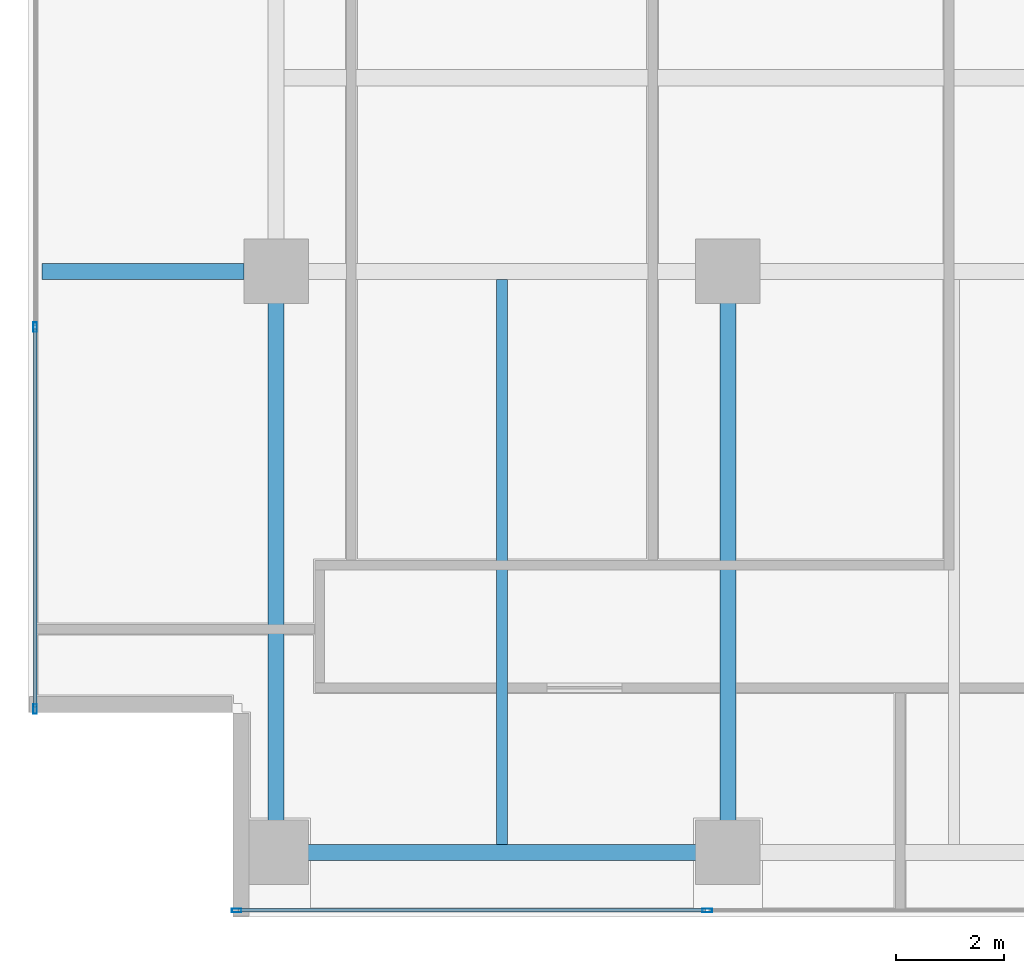
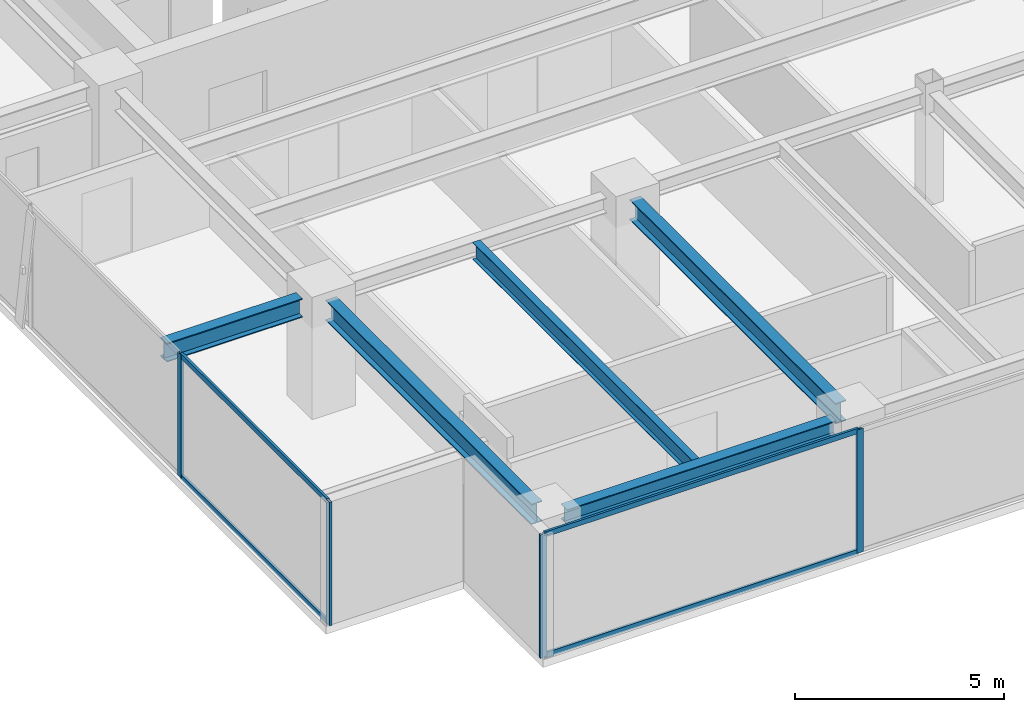
# One storey, part 2 of 21: 8 members, 5 beams, 2 elements without a shape of their own.
"""IFC4 building model written with IfcOpenShell, lengths in metres."""

from ifc_helpers import new_model, si_unit, direction, frame, origin, origin_2d, place, context, subcontext, project, spatial, hollow_rectangle, i_section, extrude, source, transform, mapped, material, layer, layer_set, material_profile, profile_set, type_object, element, aggregate, save


model = new_model("IFC4")

# Units and contexts
model_context = context("Model", 3, precision=1e-05, world=origin(), true_north=direction((0.0, 1.0)))
body_context = subcontext(model_context, "Body", "Model", "MODEL_VIEW")
ifc_project = project(units=[si_unit("LENGTHUNIT", "METRE"), si_unit("AREAUNIT", "SQUARE_METRE"), si_unit("VOLUMEUNIT", "CUBIC_METRE"), si_unit("PLANEANGLEUNIT", "RADIAN"), si_unit("MASSUNIT", "GRAM", prefix="KILO")], contexts=[model_context])

# Site, building, storey
site_placement = place(None, origin())
site = spatial("IfcSite", under=ifc_project, at=site_placement, CompositionType="ELEMENT")
building_placement = place(site_placement, origin())
building = spatial("IfcBuilding", under=site, at=building_placement, Name="Sumidabori Civic Tower", CompositionType="ELEMENT")
storey_placement = place(building_placement, frame((0.0, 0.0, 290.0)))
storey = spatial("IfcBuildingStorey", under=building, at=storey_placement, Name="L76", CompositionType="ELEMENT", Elevation=290.0)

# Beams
ifc_material_1 = material(Name="Steel SN490", Category="steel")
ifc_material_profile_1 = material_profile(ifc_material_1, i_section(OverallWidth=0.300048828125, OverallDepth=0.60009765625, WebThickness=0.015380859375, FlangeThickness=0.030029296875, at=origin_2d()), Name="HE 600 B")
ifc_profile_set_1 = profile_set([ifc_material_profile_1], Name="Steel SN490")
beam_type_1 = type_object("IfcBeamType", Name="BM-GIRD-600", PredefinedType="BEAM", material=ifc_profile_set_1)
shared_shape_1 = source(origin(), body_context, "Body", "SweptSolid", [
    extrude(i_section(OverallWidth=0.300048828125, OverallDepth=0.60009765625, WebThickness=0.015380859375, FlangeThickness=0.030029296875, at=origin_2d()), origin(), (0.0, 0.0, 1.0), 9.840087890625),
])
for number, where, z_axis, x_axis, name in (
    (1, (-16.800048828125, -10.320068359375, 3.0), (0.0, 1.0, 0.0), (-1.0, 0.0, 0.0), "Primary Girder L76 GY-09"),
    (2, (-8.39990234375, -10.320068359375, 3.0), (0.0, 1.0, 0.0), (-1.0, 0.0, 0.0), "Primary Girder L76 GY-12"),
):
    element("IfcBeam", number, at=place(storey_placement, frame(where, z_axis=z_axis, x_axis=x_axis)), inside=storey, type_object=beam_type_1, Name=name, PredefinedType="BEAM", context=body_context, shape_type="MappedRepresentation", body=[
        mapped(shared_shape_1, transform((0.0, 0.0, 0.0), x_axis=(1.0, 0.0, 0.0), y_axis=(0.0, 1.0, 0.0), z_axis=(0.0, 0.0, 1.0), scale=1.0)),
    ])
ifc_material_profile_2 = material_profile(ifc_material_1, i_section(OverallWidth=0.300048828125, OverallDepth=0.449951171875, WebThickness=0.013916015625, FlangeThickness=0.02587890625, at=origin_2d()), Name="HE 450 B")
ifc_profile_set_2 = profile_set([ifc_material_profile_2], Name="Steel SN490")
beam_type_2 = type_object("IfcBeamType", Name="BM-GIRD-450", PredefinedType="BEAM", material=ifc_profile_set_2)
shared_shape_2 = source(origin(), body_context, "Body", "SweptSolid", [
    extrude(i_section(OverallWidth=0.300048828125, OverallDepth=0.449951171875, WebThickness=0.013916015625, FlangeThickness=0.02587890625, at=origin_2d()), origin(), (0.0, 0.0, 1.0), 7.440185546875),
])
beam_1_placement = place(storey_placement, frame((-16.320068359375, -10.800048828125, 3.074951171875), z_axis=(1.0, 0.0, 0.0), x_axis=(0.0, 1.0, 0.0)))
element("IfcBeam", 3, at=beam_1_placement, inside=storey, type_object=beam_type_2, Name="Primary Girder L76 GX-01", PredefinedType="BEAM", context=body_context, shape_type="MappedRepresentation", body=[
    mapped(shared_shape_2, transform((0.0, 0.0, 0.0), x_axis=(1.0, 0.0, 0.0), y_axis=(0.0, 1.0, 0.0), z_axis=(0.0, 0.0, 1.0), scale=1.0)),
])
ifc_material_profile_3 = material_profile(ifc_material_1, i_section(OverallWidth=0.199951171875, OverallDepth=0.5, WebThickness=0.01025390625, FlangeThickness=0.01611328125, at=origin_2d()), Name="IPE 500")
ifc_profile_set_3 = profile_set([ifc_material_profile_3], Name="Steel SN490")
beam_type_3 = type_object("IfcBeamType", Name="BM-JST-500", PredefinedType="JOIST", material=ifc_profile_set_3)
shared_shape_3 = source(origin(), body_context, "Body", "SweptSolid", [
    extrude(i_section(OverallWidth=0.199951171875, OverallDepth=0.5, WebThickness=0.01025390625, FlangeThickness=0.01611328125, at=origin_2d()), origin(), (0.0, 0.0, 1.0), 10.5),
])
beam_2_placement = place(storey_placement, frame((-12.60009765625, -10.64990234375, 3.050048828125), z_axis=(0.0, 1.0, 0.0), x_axis=(-1.0, 0.0, 0.0)))
element("IfcBeam", 4, at=beam_2_placement, inside=storey, type_object=beam_type_3, Name="Upper Lens N-S Floor Joist L76 JSTV-24", PredefinedType="JOIST", context=body_context, shape_type="MappedRepresentation", body=[
    mapped(shared_shape_3, transform((0.0, 0.0, 0.0), x_axis=(1.0, 0.0, 0.0), y_axis=(0.0, 1.0, 0.0), z_axis=(0.0, 0.0, 1.0), scale=1.0)),
])
ifc_material_profile_4 = material_profile(ifc_material_1, i_section(OverallWidth=0.300048828125, OverallDepth=0.550048828125, WebThickness=0.014892578125, FlangeThickness=0.029052734375, at=origin_2d()), Name="HE 550 B")
ifc_profile_set_4 = profile_set([ifc_material_profile_4], Name="Steel SN490")
beam_type_4 = type_object("IfcBeamType", Name="BM-Z4-EDGE", PredefinedType="SPANDREL", material=ifc_profile_set_4)
shared_shape_4 = source(origin(), body_context, "Body", "SweptSolid", [
    extrude(i_section(OverallWidth=0.300048828125, OverallDepth=0.550048828125, WebThickness=0.014892578125, FlangeThickness=0.029052734375, at=origin_2d()), origin(), (0.0, 0.0, 1.0), 3.75),
])
beam_3_placement = place(storey_placement, frame((-21.14990234375, 0.0, 3.02490234375), z_axis=(1.0, 0.0, 0.0), x_axis=(0.0, 1.0, 0.0)))
element("IfcBeam", 5, at=beam_3_placement, inside=storey, type_object=beam_type_4, Name="Perimeter Overhang Beam L76 W-19", PredefinedType="SPANDREL", context=body_context, shape_type="MappedRepresentation", body=[
    mapped(shared_shape_4, transform((0.0, 0.0, 0.0), x_axis=(1.0, 0.0, 0.0), y_axis=(0.0, 1.0, 0.0), z_axis=(0.0, 0.0, 1.0), scale=1.0)),
])

# Curtain wall, members
ifc_material_2 = material(Name="Anodised Bronze Aluminium AW-6063-T6", Category="aluminium")
ifc_layer = layer(ifc_material_2, 0.179931640625, Name="Anodised Bronze Aluminium AW-6063-T6")
ifc_layer_set = layer_set([ifc_layer], Name="Anodised Bronze Aluminium AW-6063-T6")
curtain_wall_type = type_object("IfcCurtainWallType", Name="CW-SYS-6", PredefinedType="NOTDEFINED", material=ifc_layer_set)
curtain_wall_1_placement = place(storey_placement, origin())
curtain_wall_1 = element("IfcCurtainWall", 6, at=curtain_wall_1_placement, inside=storey, type_object=curtain_wall_type, Name="Curtain Wall CW:L76:R01", PredefinedType="NOTDEFINED")
ifc_material_profile_5 = material_profile(ifc_material_2, hollow_rectangle(XDim=0.06494140625, YDim=0.14990234375, WallThickness=0.0048828125, at=origin_2d()), Name="ALU TRANSOM 150x65")
ifc_profile_set_5 = profile_set([ifc_material_profile_5], Name="Anodised Bronze Aluminium AW-6063-T6")
member_type_1 = type_object("IfcMemberType", Name="CW-TRN-150", PredefinedType="USERDEFINED", material=ifc_profile_set_5)
shared_shape_5 = source(origin(), body_context, "Body", "SweptSolid", [
    extrude(hollow_rectangle(XDim=0.06494140625, YDim=0.14990234375, WallThickness=0.0048828125, at=origin_2d()), origin(), (0.0, 0.0, 1.0), 8.679931640625),
])
member_1_placement = place(storey_placement, frame((-17.5, -11.8798828125, 0.032470703125), z_axis=(1.0, 0.0, 0.0), x_axis=(0.0, 1.0, 0.0)))
member_1 = element("IfcMember", 7, at=member_1_placement, type_object=member_type_1, Name="CW-6 transom 1.1", ObjectType="TRANSOM", PredefinedType="USERDEFINED", context=body_context, shape_type="MappedRepresentation", body=[
    mapped(shared_shape_5, transform((0.0, 0.0, 0.0), x_axis=(1.0, 0.0, 0.0), y_axis=(0.0, 1.0, 0.0), z_axis=(0.0, 0.0, 1.0), scale=1.0)),
])
member_2_placement = place(storey_placement, frame((-17.5, -11.8798828125, 3.5673828125), z_axis=(1.0, 0.0, 0.0), x_axis=(0.0, 1.0, 0.0)))
member_2 = element("IfcMember", 8, at=member_2_placement, type_object=member_type_1, Name="CW-6 transom 1.2", ObjectType="TRANSOM", PredefinedType="USERDEFINED", context=body_context, shape_type="MappedRepresentation", body=[
    mapped(shared_shape_5, transform((0.0, 0.0, 0.0), x_axis=(1.0, 0.0, 0.0), y_axis=(0.0, 1.0, 0.0), z_axis=(0.0, 0.0, 1.0), scale=1.0)),
])

curtain_wall_2_placement = place(storey_placement, origin())
curtain_wall_2 = element("IfcCurtainWall", 9, at=curtain_wall_2_placement, inside=storey, type_object=curtain_wall_type, Name="Curtain Wall CW:L76:R10", PredefinedType="NOTDEFINED")
shared_shape_6 = source(origin(), body_context, "Body", "SweptSolid", [
    extrude(hollow_rectangle(XDim=0.06494140625, YDim=0.14990234375, WallThickness=0.0048828125, at=origin_2d()), origin(), (0.0, 0.0, 1.0), 7.030029296875),
])
member_3_placement = place(storey_placement, frame((-21.280029296875, -1.070068359375, 0.032470703125), z_axis=(0.0, -1.0, 0.0), x_axis=(1.0, 0.0, 0.0)))
member_3 = element("IfcMember", 10, at=member_3_placement, type_object=member_type_1, Name="CW-6 transom 4.1", ObjectType="TRANSOM", PredefinedType="USERDEFINED", context=body_context, shape_type="MappedRepresentation", body=[
    mapped(shared_shape_6, transform((0.0, 0.0, 0.0), x_axis=(1.0, 0.0, 0.0), y_axis=(0.0, 1.0, 0.0), z_axis=(0.0, 0.0, 1.0), scale=1.0)),
])
member_4_placement = place(storey_placement, frame((-21.280029296875, -1.070068359375, 3.5673828125), z_axis=(0.0, -1.0, 0.0), x_axis=(1.0, 0.0, 0.0)))
member_4 = element("IfcMember", 11, at=member_4_placement, type_object=member_type_1, Name="CW-6 transom 4.2", ObjectType="TRANSOM", PredefinedType="USERDEFINED", context=body_context, shape_type="MappedRepresentation", body=[
    mapped(shared_shape_6, transform((0.0, 0.0, 0.0), x_axis=(1.0, 0.0, 0.0), y_axis=(0.0, 1.0, 0.0), z_axis=(0.0, 0.0, 1.0), scale=1.0)),
])

# Member
ifc_material_profile_6 = material_profile(ifc_material_2, hollow_rectangle(XDim=0.070068359375, YDim=0.179931640625, WallThickness=0.006103515625, at=origin_2d()), Name="ALU MULLION 180x70")
ifc_profile_set_6 = profile_set([ifc_material_profile_6], Name="Anodised Bronze Aluminium AW-6063-T6")
member_type_2 = type_object("IfcMemberType", Name="CW-MUL-180", PredefinedType="MULLION", material=ifc_profile_set_6)
shared_shape_7 = source(origin(), body_context, "Body", "SweptSolid", [
    extrude(hollow_rectangle(XDim=0.070068359375, YDim=0.179931640625, WallThickness=0.006103515625, at=origin_2d()), origin(), (0.0, 0.0, 1.0), 3.60009765625),
])
member_5_placement = place(storey_placement, frame((-17.534912109375, -11.8798828125, 0.0), z_axis=(0.0, 0.0, 1.0), x_axis=(0.0, 1.0, 0.0)))
member_5 = element("IfcMember", 12, at=member_5_placement, type_object=member_type_2, Name="CW-6 mullion 1", PredefinedType="MULLION", context=body_context, shape_type="MappedRepresentation", body=[
    mapped(shared_shape_7, transform((0.0, 0.0, 0.0), x_axis=(1.0, 0.0, 0.0), y_axis=(0.0, 1.0, 0.0), z_axis=(0.0, 0.0, 1.0), scale=1.0)),
])

member_6_placement = place(storey_placement, frame((-8.784912109375, -11.8798828125, 0.0), z_axis=(0.0, 0.0, 1.0), x_axis=(0.0, 1.0, 0.0)))
member_6 = element("IfcMember", 13, at=member_6_placement, type_object=member_type_2, Name="CW-6 mullion 2", PredefinedType="MULLION", context=body_context, shape_type="MappedRepresentation", body=[
    mapped(shared_shape_7, transform((0.0, 0.0, 0.0), x_axis=(1.0, 0.0, 0.0), y_axis=(0.0, 1.0, 0.0), z_axis=(0.0, 0.0, 1.0), scale=1.0)),
])

aggregate(curtain_wall_1, [member_5, member_6, member_1, member_2])

member_7_placement = place(storey_placement, frame((-21.280029296875, -1.034912109375, 0.0), z_axis=(0.0, 0.0, 1.0), x_axis=(1.0, 0.0, 0.0)))
member_7 = element("IfcMember", 14, at=member_7_placement, type_object=member_type_2, Name="CW-6 mullion 4", PredefinedType="MULLION", context=body_context, shape_type="MappedRepresentation", body=[
    mapped(shared_shape_7, transform((0.0, 0.0, 0.0), x_axis=(1.0, 0.0, 0.0), y_axis=(0.0, 1.0, 0.0), z_axis=(0.0, 0.0, 1.0), scale=1.0)),
])

member_8_placement = place(storey_placement, frame((-21.280029296875, -8.135009765625, 0.0), z_axis=(0.0, 0.0, 1.0), x_axis=(1.0, 0.0, 0.0)))
member_8 = element("IfcMember", 15, at=member_8_placement, type_object=member_type_2, Name="CW-6 mullion 5", PredefinedType="MULLION", context=body_context, shape_type="MappedRepresentation", body=[
    mapped(shared_shape_7, transform((0.0, 0.0, 0.0), x_axis=(1.0, 0.0, 0.0), y_axis=(0.0, 1.0, 0.0), z_axis=(0.0, 0.0, 1.0), scale=1.0)),
])

aggregate(curtain_wall_2, [member_7, member_8, member_3, member_4])

save(model, "model.ifc")
